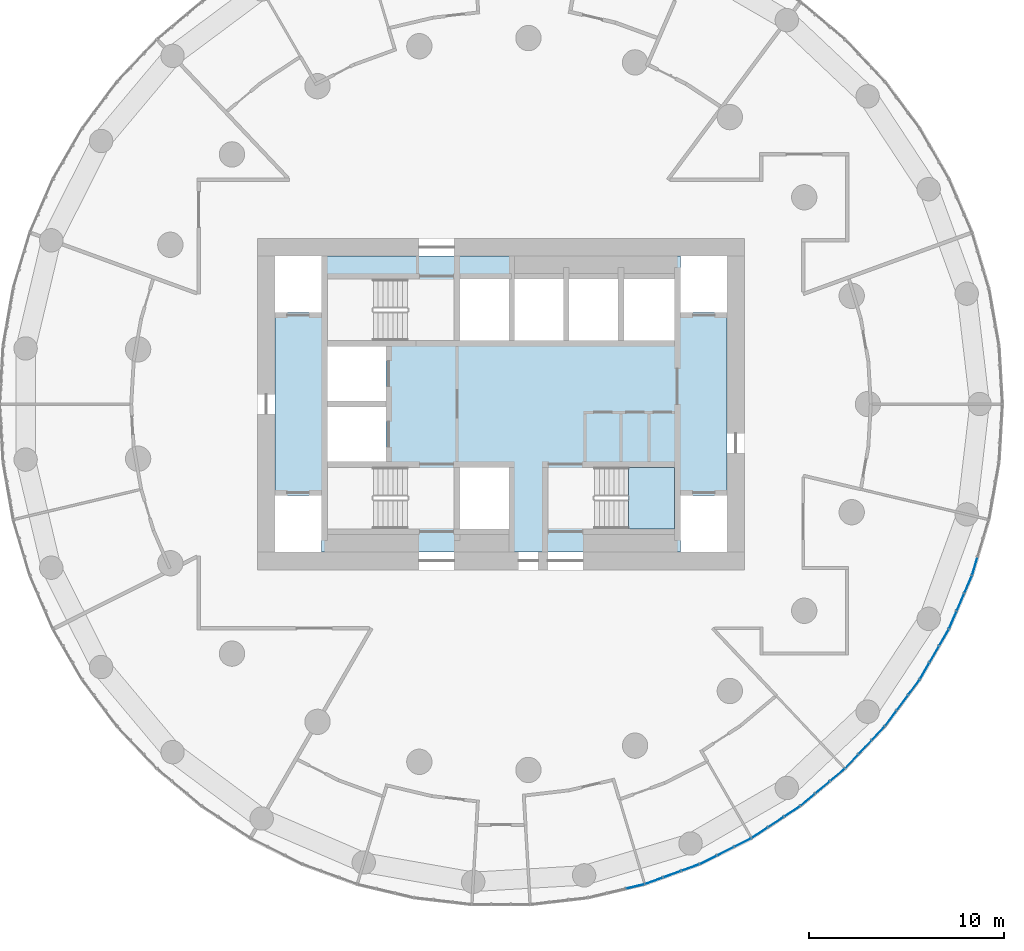
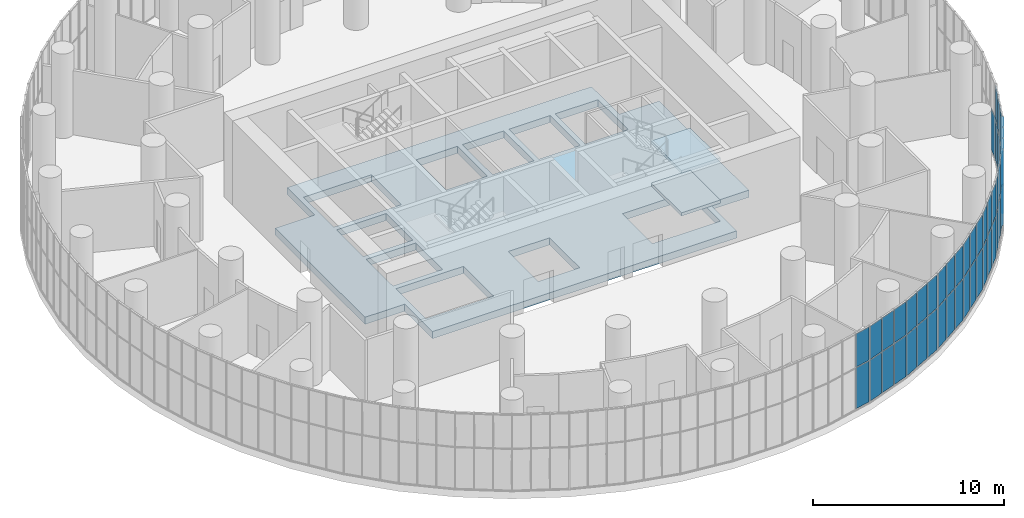
# One storey, part 12 of 21: 51 plates, 3 slabs, 11 elements without a shape of their own.
"""IFC4 building model written with IfcOpenShell, lengths in metres."""

from ifc_helpers import new_model, si_unit, direction, frame, origin, origin_2d, place, context, subcontext, project, spatial, polyline, rectangle, outline, extrude, material, layer, layer_set, type_object, element, aggregate, save


model = new_model("IFC4")

# Units and contexts
model_context = context("Model", 3, precision=1e-05, world=origin(), true_north=direction((0.0, 1.0)))
body_context = subcontext(model_context, "Body", "Model", "MODEL_VIEW")
ifc_project = project(units=[si_unit("LENGTHUNIT", "METRE"), si_unit("AREAUNIT", "SQUARE_METRE"), si_unit("VOLUMEUNIT", "CUBIC_METRE"), si_unit("PLANEANGLEUNIT", "RADIAN"), si_unit("MASSUNIT", "GRAM", prefix="KILO")], contexts=[model_context])

# Site, building, storey
site_placement = place(None, origin())
site = spatial("IfcSite", under=ifc_project, at=site_placement, CompositionType="ELEMENT")
building_placement = place(site_placement, origin())
building = spatial("IfcBuilding", under=site, at=building_placement, Name="Tracery Tower", CompositionType="ELEMENT")
storey_placement = place(building_placement, frame((0.0, 0.0, 219.60009765625)))
storey = spatial("IfcBuildingStorey", under=building, at=storey_placement, Name="L57", CompositionType="ELEMENT", Elevation=219.60009765625)

# Slab
ifc_material_1 = material(Name="Concrete C50/60", Category="concrete")
ifc_layer_1 = layer(ifc_material_1, 0.449951171875)
ifc_layer_set_1 = layer_set([ifc_layer_1], Name="Core floor slab 450 C50")
slab_type_1 = type_object("IfcSlabType", Name="Core floor slab 450 C50", PredefinedType="FLOOR", material=ifc_layer_set_1)
slab_1_placement = place(storey_placement, frame((0.0, 0.0, -0.4501953125)))
element("IfcSlab", 1, at=slab_1_placement, inside=storey, type_object=slab_type_1, Name="L57 core floor 1", PredefinedType="FLOOR", context=body_context, shape_type="SweptSolid", body=[
    extrude(outline(polyline([(-9.199951171875, 7.60009765625), (9.199951171875, 7.60009765625), (9.199951171875, 4.699951171875), (11.60009765625, 4.699951171875), (11.60009765625, -4.699951171875), (9.199951171875, -4.699951171875), (9.199951171875, -7.60009765625), (-9.199951171875, -7.60009765625), (-9.199951171875, -4.699951171875), (-11.60009765625, -4.699951171875), (-11.60009765625, 4.699951171875), (-9.199951171875, 4.699951171875), (-9.199951171875, 7.60009765625)]), holes=[polyline([(4.800537109375, -6.39990234375), (8.89990234375, -6.39990234375), (8.89990234375, -3.25), (4.800537109375, -3.25), (4.800537109375, -6.39990234375)]), polyline([(8.89990234375, 3.25), (8.89990234375, 6.39990234375), (6.300048828125, 6.39990234375), (6.300048828125, 3.25), (8.89990234375, 3.25)]), polyline([(6.0, 3.25), (6.0, 6.39990234375), (3.5, 6.39990234375), (3.5, 3.25), (6.0, 3.25)]), polyline([(3.199951171875, 3.25), (3.199951171875, 6.39990234375), (0.699951171875, 6.39990234375), (0.699951171875, 3.25), (3.199951171875, 3.25)]), polyline([(-2.10009765625, 3.25), (0.39990234375, 3.25), (0.39990234375, 6.39990234375), (-2.10009765625, 6.39990234375), (-2.10009765625, 3.25)]), polyline([(0.39990234375, -6.39990234375), (0.39990234375, -3.25), (-2.10009765625, -3.25), (-2.10009765625, -6.39990234375), (0.39990234375, -6.39990234375)]), polyline([(-4.800537109375, -3.25), (-8.89990234375, -3.25), (-8.89990234375, -6.39990234375), (-4.800537109375, -6.39990234375), (-4.800537109375, -3.25)]), polyline([(-4.800537109375, 6.39990234375), (-8.89990234375, 6.39990234375), (-8.89990234375, 3.25), (-4.800537109375, 3.25), (-4.800537109375, 6.39990234375)]), polyline([(-5.89990234375, -2.949951171875), (-5.89990234375, -0.14990234375), (-8.89990234375, -0.14990234375), (-8.89990234375, -2.949951171875), (-5.89990234375, -2.949951171875)]), polyline([(-5.89990234375, 0.14990234375), (-5.89990234375, 2.949951171875), (-8.89990234375, 2.949951171875), (-8.89990234375, 0.14990234375), (-5.89990234375, 0.14990234375)])]), origin(), (0.0, 0.0, 1.0), 0.4501953125),
])

# Curtain wall, plates
ifc_material_2 = material(Name="Aluminium curtain wall with tinted glass", Category="aluminium")
ifc_layer_2 = layer(ifc_material_2, 0.159912109375)
ifc_layer_set_2 = layer_set([ifc_layer_2], Name="Sky lounge 2 tracery curtain wall")
curtain_wall_type = type_object("IfcCurtainWallType", Name="Sky lounge 2 tracery curtain wall", PredefinedType="NOTDEFINED", material=ifc_layer_set_2)
curtain_wall_1_placement = place(storey_placement, origin())
curtain_wall_1 = element("IfcCurtainWall", 2, at=curtain_wall_1_placement, inside=storey, type_object=curtain_wall_type, Name="Sky lounge 2 curtain wall run 43", PredefinedType="NOTDEFINED")
ifc_material_3 = material(Name="Tinted laminated glass", Category="glass")
ifc_layer_3 = layer(ifc_material_3, 0.028076171875)
ifc_layer_set_3 = layer_set([ifc_layer_3], Name="Sky lounge 2 glass panel 28")
plate_type = type_object("IfcPlateType", Name="Sky lounge 2 glass panel 28", PredefinedType="CURTAIN_PANEL", material=ifc_layer_set_3)
plate_1_placement = place(storey_placement, frame((6.88818359375, -24.742431640625, 0.06005859375), z_axis=(0.0, 0.0, 1.0), x_axis=(0.973044870581, 0.230615870737, 0.0)))
plate_1 = element("IfcPlate", 3, at=plate_1_placement, type_object=plate_type, Name="Sky lounge 2 curtain wall run 43 glass panel 5", PredefinedType="CURTAIN_PANEL", context=body_context, shape_type="SweptSolid", body=[
    extrude(rectangle(XDim=0.9365234375, YDim=0.028076171875, at=origin_2d()), origin(), (0.0, 0.0, 1.0), 2.610107421875),
])
plate_2_placement = place(storey_placement, frame((6.88818359375, -24.742431640625, 2.72998046875), z_axis=(0.0, 0.0, 1.0), x_axis=(0.973044870581, 0.230615870737, 0.0)))
plate_2 = element("IfcPlate", 4, at=plate_2_placement, type_object=plate_type, Name="Sky lounge 2 curtain wall run 43 glass panel 6", PredefinedType="CURTAIN_PANEL", context=body_context, shape_type="SweptSolid", body=[
    extrude(rectangle(XDim=0.9365234375, YDim=0.028076171875, at=origin_2d()), origin(), (0.0, 0.0, 1.0), 2.110107421875),
])
aggregate(curtain_wall_1, [plate_1, plate_2])

curtain_wall_2_placement = place(storey_placement, origin())
curtain_wall_2 = element("IfcCurtainWall", 5, at=curtain_wall_2_placement, inside=storey, type_object=curtain_wall_type, Name="Sky lounge 2 curtain wall run 44", PredefinedType="NOTDEFINED")
plate_3_placement = place(storey_placement, frame((7.84130859375, -24.45703125, 0.06005859375), z_axis=(0.0, 0.0, 1.0), x_axis=(0.939692620786, 0.342020143326, 0.0)))
plate_3 = element("IfcPlate", 6, at=plate_3_placement, type_object=plate_type, Name="Sky lounge 2 curtain wall run 44 glass panel 1", PredefinedType="CURTAIN_PANEL", context=body_context, shape_type="SweptSolid", body=[
    extrude(rectangle(XDim=0.9365234375, YDim=0.028076171875, at=origin_2d()), origin(), (0.0, 0.0, 1.0), 2.610107421875),
])
plate_4_placement = place(storey_placement, frame((7.84130859375, -24.45703125, 2.72998046875), z_axis=(0.0, 0.0, 1.0), x_axis=(0.939692620786, 0.342020143326, 0.0)))
plate_4 = element("IfcPlate", 7, at=plate_4_placement, type_object=plate_type, Name="Sky lounge 2 curtain wall run 44 glass panel 2", PredefinedType="CURTAIN_PANEL", context=body_context, shape_type="SweptSolid", body=[
    extrude(rectangle(XDim=0.9365234375, YDim=0.028076171875, at=origin_2d()), origin(), (0.0, 0.0, 1.0), 2.110107421875),
])
plate_5_placement = place(storey_placement, frame((8.777587890625, -24.1162109375, 0.06005859375), z_axis=(0.0, 0.0, 1.0), x_axis=(0.939692620786, 0.342020143326, 0.0)))
plate_5 = element("IfcPlate", 8, at=plate_5_placement, type_object=plate_type, Name="Sky lounge 2 curtain wall run 44 glass panel 3", PredefinedType="CURTAIN_PANEL", context=body_context, shape_type="SweptSolid", body=[
    extrude(rectangle(XDim=0.9365234375, YDim=0.028076171875, at=origin_2d()), origin(), (0.0, 0.0, 1.0), 2.610107421875),
])
plate_6_placement = place(storey_placement, frame((8.777587890625, -24.1162109375, 2.72998046875), z_axis=(0.0, 0.0, 1.0), x_axis=(0.939692620786, 0.342020143326, 0.0)))
plate_6 = element("IfcPlate", 9, at=plate_6_placement, type_object=plate_type, Name="Sky lounge 2 curtain wall run 44 glass panel 4", PredefinedType="CURTAIN_PANEL", context=body_context, shape_type="SweptSolid", body=[
    extrude(rectangle(XDim=0.9365234375, YDim=0.028076171875, at=origin_2d()), origin(), (0.0, 0.0, 1.0), 2.110107421875),
])
plate_7_placement = place(storey_placement, frame((9.714111328125, -23.775390625, 0.06005859375), z_axis=(0.0, 0.0, 1.0), x_axis=(0.939692620786, 0.342020143326, 0.0)))
plate_7 = element("IfcPlate", 10, at=plate_7_placement, type_object=plate_type, Name="Sky lounge 2 curtain wall run 44 glass panel 5", PredefinedType="CURTAIN_PANEL", context=body_context, shape_type="SweptSolid", body=[
    extrude(rectangle(XDim=0.9365234375, YDim=0.028076171875, at=origin_2d()), origin(), (0.0, 0.0, 1.0), 2.610107421875),
])
plate_8_placement = place(storey_placement, frame((9.714111328125, -23.775390625, 2.72998046875), z_axis=(0.0, 0.0, 1.0), x_axis=(0.939692620786, 0.342020143326, 0.0)))
plate_8 = element("IfcPlate", 11, at=plate_8_placement, type_object=plate_type, Name="Sky lounge 2 curtain wall run 44 glass panel 6", PredefinedType="CURTAIN_PANEL", context=body_context, shape_type="SweptSolid", body=[
    extrude(rectangle(XDim=0.9365234375, YDim=0.028076171875, at=origin_2d()), origin(), (0.0, 0.0, 1.0), 2.110107421875),
])
aggregate(curtain_wall_2, [plate_3, plate_4, plate_5, plate_6, plate_7, plate_8])

curtain_wall_3_placement = place(storey_placement, origin())
curtain_wall_3 = element("IfcCurtainWall", 12, at=curtain_wall_3_placement, inside=storey, type_object=curtain_wall_type, Name="Sky lounge 2 curtain wall run 45", PredefinedType="NOTDEFINED")
plate_9_placement = place(storey_placement, frame((10.62744140625, -23.38134765625, 0.06005859375), z_axis=(0.0, 0.0, 1.0), x_axis=(0.893632640321, 0.448799180206, 0.0)))
plate_9 = element("IfcPlate", 13, at=plate_9_placement, type_object=plate_type, Name="Sky lounge 2 curtain wall run 45 glass panel 1", PredefinedType="CURTAIN_PANEL", context=body_context, shape_type="SweptSolid", body=[
    extrude(rectangle(XDim=0.9365234375, YDim=0.028076171875, at=origin_2d()), origin(), (0.0, 0.0, 1.0), 2.610107421875),
])
plate_10_placement = place(storey_placement, frame((10.62744140625, -23.38134765625, 2.72998046875), z_axis=(0.0, 0.0, 1.0), x_axis=(0.893632640321, 0.448799180206, 0.0)))
plate_10 = element("IfcPlate", 14, at=plate_10_placement, type_object=plate_type, Name="Sky lounge 2 curtain wall run 45 glass panel 2", PredefinedType="CURTAIN_PANEL", context=body_context, shape_type="SweptSolid", body=[
    extrude(rectangle(XDim=0.9365234375, YDim=0.028076171875, at=origin_2d()), origin(), (0.0, 0.0, 1.0), 2.110107421875),
])
plate_11_placement = place(storey_placement, frame((11.51806640625, -22.934326171875, 0.06005859375), z_axis=(0.0, 0.0, 1.0), x_axis=(0.893632640321, 0.448799180206, 0.0)))
plate_11 = element("IfcPlate", 15, at=plate_11_placement, type_object=plate_type, Name="Sky lounge 2 curtain wall run 45 glass panel 3", PredefinedType="CURTAIN_PANEL", context=body_context, shape_type="SweptSolid", body=[
    extrude(rectangle(XDim=0.9365234375, YDim=0.028076171875, at=origin_2d()), origin(), (0.0, 0.0, 1.0), 2.610107421875),
])
plate_12_placement = place(storey_placement, frame((11.51806640625, -22.934326171875, 2.72998046875), z_axis=(0.0, 0.0, 1.0), x_axis=(0.893632640321, 0.448799180206, 0.0)))
plate_12 = element("IfcPlate", 16, at=plate_12_placement, type_object=plate_type, Name="Sky lounge 2 curtain wall run 45 glass panel 4", PredefinedType="CURTAIN_PANEL", context=body_context, shape_type="SweptSolid", body=[
    extrude(rectangle(XDim=0.9365234375, YDim=0.028076171875, at=origin_2d()), origin(), (0.0, 0.0, 1.0), 2.110107421875),
])
plate_13_placement = place(storey_placement, frame((12.408447265625, -22.487060546875, 0.06005859375), z_axis=(0.0, 0.0, 1.0), x_axis=(0.893632640321, 0.448799180206, 0.0)))
plate_13 = element("IfcPlate", 17, at=plate_13_placement, type_object=plate_type, Name="Sky lounge 2 curtain wall run 45 glass panel 5", PredefinedType="CURTAIN_PANEL", context=body_context, shape_type="SweptSolid", body=[
    extrude(rectangle(XDim=0.9365234375, YDim=0.028076171875, at=origin_2d()), origin(), (0.0, 0.0, 1.0), 2.610107421875),
])
plate_14_placement = place(storey_placement, frame((12.408447265625, -22.487060546875, 2.72998046875), z_axis=(0.0, 0.0, 1.0), x_axis=(0.893632640321, 0.448799180206, 0.0)))
plate_14 = element("IfcPlate", 18, at=plate_14_placement, type_object=plate_type, Name="Sky lounge 2 curtain wall run 45 glass panel 6", PredefinedType="CURTAIN_PANEL", context=body_context, shape_type="SweptSolid", body=[
    extrude(rectangle(XDim=0.9365234375, YDim=0.028076171875, at=origin_2d()), origin(), (0.0, 0.0, 1.0), 2.110107421875),
])
aggregate(curtain_wall_3, [plate_9, plate_10, plate_11, plate_12, plate_13, plate_14])

curtain_wall_4_placement = place(storey_placement, origin())
curtain_wall_4 = element("IfcCurtainWall", 19, at=curtain_wall_4_placement, inside=storey, type_object=curtain_wall_type, Name="Sky lounge 2 curtain wall run 46", PredefinedType="NOTDEFINED")
plate_15_placement = place(storey_placement, frame((13.27001953125, -21.989501953125, 0.06005859375), z_axis=(0.0, 0.0, 1.0), x_axis=(0.835487811416, 0.549508978066, 0.0)))
plate_15 = element("IfcPlate", 20, at=plate_15_placement, type_object=plate_type, Name="Sky lounge 2 curtain wall run 46 glass panel 1", PredefinedType="CURTAIN_PANEL", context=body_context, shape_type="SweptSolid", body=[
    extrude(rectangle(XDim=0.9365234375, YDim=0.028076171875, at=origin_2d()), origin(), (0.0, 0.0, 1.0), 2.610107421875),
])
plate_16_placement = place(storey_placement, frame((13.27001953125, -21.989501953125, 2.72998046875), z_axis=(0.0, 0.0, 1.0), x_axis=(0.835487811416, 0.549508978066, 0.0)))
plate_16 = element("IfcPlate", 21, at=plate_16_placement, type_object=plate_type, Name="Sky lounge 2 curtain wall run 46 glass panel 2", PredefinedType="CURTAIN_PANEL", context=body_context, shape_type="SweptSolid", body=[
    extrude(rectangle(XDim=0.9365234375, YDim=0.028076171875, at=origin_2d()), origin(), (0.0, 0.0, 1.0), 2.110107421875),
])
plate_17_placement = place(storey_placement, frame((14.1025390625, -21.44189453125, 0.06005859375), z_axis=(0.0, 0.0, 1.0), x_axis=(0.835487811416, 0.549508978066, 0.0)))
plate_17 = element("IfcPlate", 22, at=plate_17_placement, type_object=plate_type, Name="Sky lounge 2 curtain wall run 46 glass panel 3", PredefinedType="CURTAIN_PANEL", context=body_context, shape_type="SweptSolid", body=[
    extrude(rectangle(XDim=0.9365234375, YDim=0.028076171875, at=origin_2d()), origin(), (0.0, 0.0, 1.0), 2.610107421875),
])
plate_18_placement = place(storey_placement, frame((14.1025390625, -21.44189453125, 2.72998046875), z_axis=(0.0, 0.0, 1.0), x_axis=(0.835487811416, 0.549508978066, 0.0)))
plate_18 = element("IfcPlate", 23, at=plate_18_placement, type_object=plate_type, Name="Sky lounge 2 curtain wall run 46 glass panel 4", PredefinedType="CURTAIN_PANEL", context=body_context, shape_type="SweptSolid", body=[
    extrude(rectangle(XDim=0.9365234375, YDim=0.028076171875, at=origin_2d()), origin(), (0.0, 0.0, 1.0), 2.110107421875),
])
plate_19_placement = place(storey_placement, frame((14.935302734375, -20.89453125, 0.06005859375), z_axis=(0.0, 0.0, 1.0), x_axis=(0.835487811416, 0.549508978066, 0.0)))
plate_19 = element("IfcPlate", 24, at=plate_19_placement, type_object=plate_type, Name="Sky lounge 2 curtain wall run 46 glass panel 5", PredefinedType="CURTAIN_PANEL", context=body_context, shape_type="SweptSolid", body=[
    extrude(rectangle(XDim=0.9365234375, YDim=0.028076171875, at=origin_2d()), origin(), (0.0, 0.0, 1.0), 2.610107421875),
])
plate_20_placement = place(storey_placement, frame((14.935302734375, -20.89453125, 2.72998046875), z_axis=(0.0, 0.0, 1.0), x_axis=(0.835487811416, 0.549508978066, 0.0)))
plate_20 = element("IfcPlate", 25, at=plate_20_placement, type_object=plate_type, Name="Sky lounge 2 curtain wall run 46 glass panel 6", PredefinedType="CURTAIN_PANEL", context=body_context, shape_type="SweptSolid", body=[
    extrude(rectangle(XDim=0.9365234375, YDim=0.028076171875, at=origin_2d()), origin(), (0.0, 0.0, 1.0), 2.110107421875),
])
aggregate(curtain_wall_4, [plate_15, plate_16, plate_17, plate_18, plate_19, plate_20])

curtain_wall_5_placement = place(storey_placement, origin())
curtain_wall_5 = element("IfcCurtainWall", 26, at=curtain_wall_5_placement, inside=storey, type_object=curtain_wall_type, Name="Sky lounge 2 curtain wall run 47", PredefinedType="NOTDEFINED")
plate_21_placement = place(storey_placement, frame((15.733154296875, -20.30029296875, 0.06005859375), z_axis=(0.0, 0.0, 1.0), x_axis=(0.766044443119, 0.642787609687, 0.0)))
plate_21 = element("IfcPlate", 27, at=plate_21_placement, type_object=plate_type, Name="Sky lounge 2 curtain wall run 47 glass panel 1", PredefinedType="CURTAIN_PANEL", context=body_context, shape_type="SweptSolid", body=[
    extrude(rectangle(XDim=0.9365234375, YDim=0.028076171875, at=origin_2d()), origin(), (0.0, 0.0, 1.0), 2.610107421875),
])
plate_22_placement = place(storey_placement, frame((15.733154296875, -20.30029296875, 2.72998046875), z_axis=(0.0, 0.0, 1.0), x_axis=(0.766044443119, 0.642787609687, 0.0)))
plate_22 = element("IfcPlate", 28, at=plate_22_placement, type_object=plate_type, Name="Sky lounge 2 curtain wall run 47 glass panel 2", PredefinedType="CURTAIN_PANEL", context=body_context, shape_type="SweptSolid", body=[
    extrude(rectangle(XDim=0.9365234375, YDim=0.028076171875, at=origin_2d()), origin(), (0.0, 0.0, 1.0), 2.110107421875),
])
plate_23_placement = place(storey_placement, frame((16.49658203125, -19.659912109375, 0.06005859375), z_axis=(0.0, 0.0, 1.0), x_axis=(0.766044443119, 0.642787609687, 0.0)))
plate_23 = element("IfcPlate", 29, at=plate_23_placement, type_object=plate_type, Name="Sky lounge 2 curtain wall run 47 glass panel 3", PredefinedType="CURTAIN_PANEL", context=body_context, shape_type="SweptSolid", body=[
    extrude(rectangle(XDim=0.9365234375, YDim=0.028076171875, at=origin_2d()), origin(), (0.0, 0.0, 1.0), 2.610107421875),
])
plate_24_placement = place(storey_placement, frame((16.49658203125, -19.659912109375, 2.72998046875), z_axis=(0.0, 0.0, 1.0), x_axis=(0.766044443119, 0.642787609687, 0.0)))
plate_24 = element("IfcPlate", 30, at=plate_24_placement, type_object=plate_type, Name="Sky lounge 2 curtain wall run 47 glass panel 4", PredefinedType="CURTAIN_PANEL", context=body_context, shape_type="SweptSolid", body=[
    extrude(rectangle(XDim=0.9365234375, YDim=0.028076171875, at=origin_2d()), origin(), (0.0, 0.0, 1.0), 2.110107421875),
])
plate_25_placement = place(storey_placement, frame((17.260009765625, -19.019287109375, 0.06005859375), z_axis=(0.0, 0.0, 1.0), x_axis=(0.766044443119, 0.642787609687, 0.0)))
plate_25 = element("IfcPlate", 31, at=plate_25_placement, type_object=plate_type, Name="Sky lounge 2 curtain wall run 47 glass panel 5", PredefinedType="CURTAIN_PANEL", context=body_context, shape_type="SweptSolid", body=[
    extrude(rectangle(XDim=0.9365234375, YDim=0.028076171875, at=origin_2d()), origin(), (0.0, 0.0, 1.0), 2.610107421875),
])
plate_26_placement = place(storey_placement, frame((17.260009765625, -19.019287109375, 2.72998046875), z_axis=(0.0, 0.0, 1.0), x_axis=(0.766044443119, 0.642787609687, 0.0)))
plate_26 = element("IfcPlate", 32, at=plate_26_placement, type_object=plate_type, Name="Sky lounge 2 curtain wall run 47 glass panel 6", PredefinedType="CURTAIN_PANEL", context=body_context, shape_type="SweptSolid", body=[
    extrude(rectangle(XDim=0.9365234375, YDim=0.028076171875, at=origin_2d()), origin(), (0.0, 0.0, 1.0), 2.110107421875),
])
aggregate(curtain_wall_5, [plate_21, plate_22, plate_23, plate_24, plate_25, plate_26])

curtain_wall_6_placement = place(storey_placement, origin())
curtain_wall_6 = element("IfcCurtainWall", 33, at=curtain_wall_6_placement, inside=storey, type_object=curtain_wall_type, Name="Sky lounge 2 curtain wall run 48", PredefinedType="NOTDEFINED")
plate_27_placement = place(storey_placement, frame((17.9833984375, -18.336669921875, 0.06005859375), z_axis=(0.0, 0.0, 1.0), x_axis=(0.686241637865, 0.727373641577, 0.0)))
plate_27 = element("IfcPlate", 34, at=plate_27_placement, type_object=plate_type, Name="Sky lounge 2 curtain wall run 48 glass panel 1", PredefinedType="CURTAIN_PANEL", context=body_context, shape_type="SweptSolid", body=[
    extrude(rectangle(XDim=0.9365234375, YDim=0.028076171875, at=origin_2d()), origin(), (0.0, 0.0, 1.0), 2.610107421875),
])
plate_28_placement = place(storey_placement, frame((17.9833984375, -18.336669921875, 2.72998046875), z_axis=(0.0, 0.0, 1.0), x_axis=(0.686241637865, 0.727373641577, 0.0)))
plate_28 = element("IfcPlate", 35, at=plate_28_placement, type_object=plate_type, Name="Sky lounge 2 curtain wall run 48 glass panel 2", PredefinedType="CURTAIN_PANEL", context=body_context, shape_type="SweptSolid", body=[
    extrude(rectangle(XDim=0.9365234375, YDim=0.028076171875, at=origin_2d()), origin(), (0.0, 0.0, 1.0), 2.110107421875),
])
plate_29_placement = place(storey_placement, frame((18.667236328125, -17.61181640625, 0.06005859375), z_axis=(0.0, 0.0, 1.0), x_axis=(0.686241637865, 0.727373641577, 0.0)))
plate_29 = element("IfcPlate", 36, at=plate_29_placement, type_object=plate_type, Name="Sky lounge 2 curtain wall run 48 glass panel 3", PredefinedType="CURTAIN_PANEL", context=body_context, shape_type="SweptSolid", body=[
    extrude(rectangle(XDim=0.9365234375, YDim=0.028076171875, at=origin_2d()), origin(), (0.0, 0.0, 1.0), 2.610107421875),
])
plate_30_placement = place(storey_placement, frame((18.667236328125, -17.61181640625, 2.72998046875), z_axis=(0.0, 0.0, 1.0), x_axis=(0.686241637865, 0.727373641577, 0.0)))
plate_30 = element("IfcPlate", 37, at=plate_30_placement, type_object=plate_type, Name="Sky lounge 2 curtain wall run 48 glass panel 4", PredefinedType="CURTAIN_PANEL", context=body_context, shape_type="SweptSolid", body=[
    extrude(rectangle(XDim=0.9365234375, YDim=0.028076171875, at=origin_2d()), origin(), (0.0, 0.0, 1.0), 2.110107421875),
])
plate_31_placement = place(storey_placement, frame((19.351318359375, -16.886962890625, 0.06005859375), z_axis=(0.0, 0.0, 1.0), x_axis=(0.686241637865, 0.727373641577, 0.0)))
plate_31 = element("IfcPlate", 38, at=plate_31_placement, type_object=plate_type, Name="Sky lounge 2 curtain wall run 48 glass panel 5", PredefinedType="CURTAIN_PANEL", context=body_context, shape_type="SweptSolid", body=[
    extrude(rectangle(XDim=0.9365234375, YDim=0.028076171875, at=origin_2d()), origin(), (0.0, 0.0, 1.0), 2.610107421875),
])
plate_32_placement = place(storey_placement, frame((19.351318359375, -16.886962890625, 2.72998046875), z_axis=(0.0, 0.0, 1.0), x_axis=(0.686241637865, 0.727373641577, 0.0)))
plate_32 = element("IfcPlate", 39, at=plate_32_placement, type_object=plate_type, Name="Sky lounge 2 curtain wall run 48 glass panel 6", PredefinedType="CURTAIN_PANEL", context=body_context, shape_type="SweptSolid", body=[
    extrude(rectangle(XDim=0.9365234375, YDim=0.028076171875, at=origin_2d()), origin(), (0.0, 0.0, 1.0), 2.110107421875),
])
aggregate(curtain_wall_6, [plate_27, plate_28, plate_29, plate_30, plate_31, plate_32])

curtain_wall_7_placement = place(storey_placement, origin())
curtain_wall_7 = element("IfcCurtainWall", 40, at=curtain_wall_7_placement, inside=storey, type_object=curtain_wall_type, Name="Sky lounge 2 curtain wall run 49", PredefinedType="NOTDEFINED")
plate_33_placement = place(storey_placement, frame((19.99072265625, -16.124755859375, 0.06005859375), z_axis=(0.0, 0.0, 1.0), x_axis=(0.597158591707, 0.802123192752, 0.0)))
plate_33 = element("IfcPlate", 41, at=plate_33_placement, type_object=plate_type, Name="Sky lounge 2 curtain wall run 49 glass panel 1", PredefinedType="CURTAIN_PANEL", context=body_context, shape_type="SweptSolid", body=[
    extrude(rectangle(XDim=0.9365234375, YDim=0.028076171875, at=origin_2d()), origin(), (0.0, 0.0, 1.0), 2.610107421875),
])
plate_34_placement = place(storey_placement, frame((19.99072265625, -16.124755859375, 2.72998046875), z_axis=(0.0, 0.0, 1.0), x_axis=(0.597158591707, 0.802123192752, 0.0)))
plate_34 = element("IfcPlate", 42, at=plate_34_placement, type_object=plate_type, Name="Sky lounge 2 curtain wall run 49 glass panel 2", PredefinedType="CURTAIN_PANEL", context=body_context, shape_type="SweptSolid", body=[
    extrude(rectangle(XDim=0.9365234375, YDim=0.028076171875, at=origin_2d()), origin(), (0.0, 0.0, 1.0), 2.110107421875),
])
plate_35_placement = place(storey_placement, frame((20.585693359375, -15.325439453125, 0.06005859375), z_axis=(0.0, 0.0, 1.0), x_axis=(0.597158591707, 0.802123192752, 0.0)))
plate_35 = element("IfcPlate", 43, at=plate_35_placement, type_object=plate_type, Name="Sky lounge 2 curtain wall run 49 glass panel 3", PredefinedType="CURTAIN_PANEL", context=body_context, shape_type="SweptSolid", body=[
    extrude(rectangle(XDim=0.9365234375, YDim=0.028076171875, at=origin_2d()), origin(), (0.0, 0.0, 1.0), 2.610107421875),
])
plate_36_placement = place(storey_placement, frame((20.585693359375, -15.325439453125, 2.72998046875), z_axis=(0.0, 0.0, 1.0), x_axis=(0.597158591707, 0.802123192752, 0.0)))
plate_36 = element("IfcPlate", 44, at=plate_36_placement, type_object=plate_type, Name="Sky lounge 2 curtain wall run 49 glass panel 4", PredefinedType="CURTAIN_PANEL", context=body_context, shape_type="SweptSolid", body=[
    extrude(rectangle(XDim=0.9365234375, YDim=0.028076171875, at=origin_2d()), origin(), (0.0, 0.0, 1.0), 2.110107421875),
])
plate_37_placement = place(storey_placement, frame((21.180908203125, -14.526123046875, 0.06005859375), z_axis=(0.0, 0.0, 1.0), x_axis=(0.597158591707, 0.802123192752, 0.0)))
plate_37 = element("IfcPlate", 45, at=plate_37_placement, type_object=plate_type, Name="Sky lounge 2 curtain wall run 49 glass panel 5", PredefinedType="CURTAIN_PANEL", context=body_context, shape_type="SweptSolid", body=[
    extrude(rectangle(XDim=0.9365234375, YDim=0.028076171875, at=origin_2d()), origin(), (0.0, 0.0, 1.0), 2.610107421875),
])
plate_38_placement = place(storey_placement, frame((21.180908203125, -14.526123046875, 2.72998046875), z_axis=(0.0, 0.0, 1.0), x_axis=(0.597158591707, 0.802123192752, 0.0)))
plate_38 = element("IfcPlate", 46, at=plate_38_placement, type_object=plate_type, Name="Sky lounge 2 curtain wall run 49 glass panel 6", PredefinedType="CURTAIN_PANEL", context=body_context, shape_type="SweptSolid", body=[
    extrude(rectangle(XDim=0.9365234375, YDim=0.028076171875, at=origin_2d()), origin(), (0.0, 0.0, 1.0), 2.110107421875),
])
aggregate(curtain_wall_7, [plate_33, plate_34, plate_35, plate_36, plate_37, plate_38])

curtain_wall_8_placement = place(storey_placement, origin())
curtain_wall_8 = element("IfcCurtainWall", 47, at=curtain_wall_8_placement, inside=storey, type_object=curtain_wall_type, Name="Sky lounge 2 curtain wall run 50", PredefinedType="NOTDEFINED")
plate_39_placement = place(storey_placement, frame((21.7275390625, -13.695068359375, 0.06005859375), z_axis=(0.0, 0.0, 1.0), x_axis=(0.5, 0.866025403784, 0.0)))
plate_39 = element("IfcPlate", 48, at=plate_39_placement, type_object=plate_type, Name="Sky lounge 2 curtain wall run 50 glass panel 1", PredefinedType="CURTAIN_PANEL", context=body_context, shape_type="SweptSolid", body=[
    extrude(rectangle(XDim=0.9365234375, YDim=0.028076171875, at=origin_2d()), origin(), (0.0, 0.0, 1.0), 2.610107421875),
])
plate_40_placement = place(storey_placement, frame((21.7275390625, -13.695068359375, 2.72998046875), z_axis=(0.0, 0.0, 1.0), x_axis=(0.5, 0.866025403784, 0.0)))
plate_40 = element("IfcPlate", 49, at=plate_40_placement, type_object=plate_type, Name="Sky lounge 2 curtain wall run 50 glass panel 2", PredefinedType="CURTAIN_PANEL", context=body_context, shape_type="SweptSolid", body=[
    extrude(rectangle(XDim=0.9365234375, YDim=0.028076171875, at=origin_2d()), origin(), (0.0, 0.0, 1.0), 2.110107421875),
])
plate_41_placement = place(storey_placement, frame((22.225830078125, -12.83203125, 0.06005859375), z_axis=(0.0, 0.0, 1.0), x_axis=(0.5, 0.866025403784, 0.0)))
plate_41 = element("IfcPlate", 50, at=plate_41_placement, type_object=plate_type, Name="Sky lounge 2 curtain wall run 50 glass panel 3", PredefinedType="CURTAIN_PANEL", context=body_context, shape_type="SweptSolid", body=[
    extrude(rectangle(XDim=0.9365234375, YDim=0.028076171875, at=origin_2d()), origin(), (0.0, 0.0, 1.0), 2.610107421875),
])
plate_42_placement = place(storey_placement, frame((22.225830078125, -12.83203125, 2.72998046875), z_axis=(0.0, 0.0, 1.0), x_axis=(0.5, 0.866025403784, 0.0)))
plate_42 = element("IfcPlate", 51, at=plate_42_placement, type_object=plate_type, Name="Sky lounge 2 curtain wall run 50 glass panel 4", PredefinedType="CURTAIN_PANEL", context=body_context, shape_type="SweptSolid", body=[
    extrude(rectangle(XDim=0.9365234375, YDim=0.028076171875, at=origin_2d()), origin(), (0.0, 0.0, 1.0), 2.110107421875),
])
plate_43_placement = place(storey_placement, frame((22.723876953125, -11.968994140625, 0.06005859375), z_axis=(0.0, 0.0, 1.0), x_axis=(0.5, 0.866025403784, 0.0)))
plate_43 = element("IfcPlate", 52, at=plate_43_placement, type_object=plate_type, Name="Sky lounge 2 curtain wall run 50 glass panel 5", PredefinedType="CURTAIN_PANEL", context=body_context, shape_type="SweptSolid", body=[
    extrude(rectangle(XDim=0.9365234375, YDim=0.028076171875, at=origin_2d()), origin(), (0.0, 0.0, 1.0), 2.610107421875),
])
plate_44_placement = place(storey_placement, frame((22.723876953125, -11.968994140625, 2.72998046875), z_axis=(0.0, 0.0, 1.0), x_axis=(0.5, 0.866025403784, 0.0)))
plate_44 = element("IfcPlate", 53, at=plate_44_placement, type_object=plate_type, Name="Sky lounge 2 curtain wall run 50 glass panel 6", PredefinedType="CURTAIN_PANEL", context=body_context, shape_type="SweptSolid", body=[
    extrude(rectangle(XDim=0.9365234375, YDim=0.028076171875, at=origin_2d()), origin(), (0.0, 0.0, 1.0), 2.110107421875),
])
aggregate(curtain_wall_8, [plate_39, plate_40, plate_41, plate_42, plate_43, plate_44])

curtain_wall_9_placement = place(storey_placement, origin())
curtain_wall_9 = element("IfcCurtainWall", 54, at=curtain_wall_9_placement, inside=storey, type_object=curtain_wall_type, Name="Sky lounge 2 curtain wall run 51", PredefinedType="NOTDEFINED")
plate_45_placement = place(storey_placement, frame((23.17041015625, -11.080078125, 0.06005859375), z_axis=(0.0, 0.0, 1.0), x_axis=(0.396079766034, 0.918216106883, 0.0)))
plate_45 = element("IfcPlate", 55, at=plate_45_placement, type_object=plate_type, Name="Sky lounge 2 curtain wall run 51 glass panel 1", PredefinedType="CURTAIN_PANEL", context=body_context, shape_type="SweptSolid", body=[
    extrude(rectangle(XDim=0.9365234375, YDim=0.028076171875, at=origin_2d()), origin(), (0.0, 0.0, 1.0), 2.610107421875),
])
plate_46_placement = place(storey_placement, frame((23.17041015625, -11.080078125, 2.72998046875), z_axis=(0.0, 0.0, 1.0), x_axis=(0.396079766034, 0.918216106883, 0.0)))
plate_46 = element("IfcPlate", 56, at=plate_46_placement, type_object=plate_type, Name="Sky lounge 2 curtain wall run 51 glass panel 2", PredefinedType="CURTAIN_PANEL", context=body_context, shape_type="SweptSolid", body=[
    extrude(rectangle(XDim=0.9365234375, YDim=0.028076171875, at=origin_2d()), origin(), (0.0, 0.0, 1.0), 2.110107421875),
])
plate_47_placement = place(storey_placement, frame((23.565185546875, -10.1650390625, 0.06005859375), z_axis=(0.0, 0.0, 1.0), x_axis=(0.396079766034, 0.918216106883, 0.0)))
plate_47 = element("IfcPlate", 57, at=plate_47_placement, type_object=plate_type, Name="Sky lounge 2 curtain wall run 51 glass panel 3", PredefinedType="CURTAIN_PANEL", context=body_context, shape_type="SweptSolid", body=[
    extrude(rectangle(XDim=0.9365234375, YDim=0.028076171875, at=origin_2d()), origin(), (0.0, 0.0, 1.0), 2.610107421875),
])
plate_48_placement = place(storey_placement, frame((23.565185546875, -10.1650390625, 2.72998046875), z_axis=(0.0, 0.0, 1.0), x_axis=(0.396079766034, 0.918216106883, 0.0)))
plate_48 = element("IfcPlate", 58, at=plate_48_placement, type_object=plate_type, Name="Sky lounge 2 curtain wall run 51 glass panel 4", PredefinedType="CURTAIN_PANEL", context=body_context, shape_type="SweptSolid", body=[
    extrude(rectangle(XDim=0.9365234375, YDim=0.028076171875, at=origin_2d()), origin(), (0.0, 0.0, 1.0), 2.110107421875),
])
plate_49_placement = place(storey_placement, frame((23.9599609375, -9.25, 0.06005859375), z_axis=(0.0, 0.0, 1.0), x_axis=(0.396079766034, 0.918216106883, 0.0)))
plate_49 = element("IfcPlate", 59, at=plate_49_placement, type_object=plate_type, Name="Sky lounge 2 curtain wall run 51 glass panel 5", PredefinedType="CURTAIN_PANEL", context=body_context, shape_type="SweptSolid", body=[
    extrude(rectangle(XDim=0.9365234375, YDim=0.028076171875, at=origin_2d()), origin(), (0.0, 0.0, 1.0), 2.610107421875),
])
plate_50_placement = place(storey_placement, frame((23.9599609375, -9.25, 2.72998046875), z_axis=(0.0, 0.0, 1.0), x_axis=(0.396079766034, 0.918216106883, 0.0)))
plate_50 = element("IfcPlate", 60, at=plate_50_placement, type_object=plate_type, Name="Sky lounge 2 curtain wall run 51 glass panel 6", PredefinedType="CURTAIN_PANEL", context=body_context, shape_type="SweptSolid", body=[
    extrude(rectangle(XDim=0.9365234375, YDim=0.028076171875, at=origin_2d()), origin(), (0.0, 0.0, 1.0), 2.110107421875),
])
aggregate(curtain_wall_9, [plate_45, plate_46, plate_47, plate_48, plate_49, plate_50])

# Curtain wall, plate
curtain_wall_10_placement = place(storey_placement, origin())
curtain_wall_10 = element("IfcCurtainWall", 61, at=curtain_wall_10_placement, inside=storey, type_object=curtain_wall_type, Name="Sky lounge 2 curtain wall run 52", PredefinedType="NOTDEFINED")
plate_51_placement = place(storey_placement, frame((24.300048828125, -8.315185546875, 0.06005859375), z_axis=(0.0, 0.0, 1.0), x_axis=(0.286803232717, 0.957989512314, 0.0)))
plate_51 = element("IfcPlate", 62, at=plate_51_placement, type_object=plate_type, Name="Sky lounge 2 curtain wall run 52 glass panel 1", PredefinedType="CURTAIN_PANEL", context=body_context, shape_type="SweptSolid", body=[
    extrude(rectangle(XDim=0.9365234375, YDim=0.028076171875, at=origin_2d()), origin(), (0.0, 0.0, 1.0), 2.610107421875),
])
aggregate(curtain_wall_10, [plate_51])

# Stair, slabs
ifc_material_4 = material(Name="Concrete C32/40", Category="concrete")
stair_type = type_object("IfcStairType", Name="Core stair 32 risers", PredefinedType="HALF_TURN_STAIR", material=ifc_material_4)
stair_placement = place(storey_placement, origin())
stair = element("IfcStair", 63, at=stair_placement, inside=storey, type_object=stair_type, Name="L57 stair ST2", PredefinedType="HALF_TURN_STAIR")
ifc_material_5 = material(Name="Concrete C32/40", Category="concrete")
ifc_layer_4 = layer(ifc_material_5, 0.199951171875)
ifc_layer_set_4 = layer_set([ifc_layer_4], Name="Stair landing slab 200")
slab_type_2 = type_object("IfcSlabType", Name="Stair landing slab 200", PredefinedType="LANDING", material=ifc_layer_set_4)
slab_2_placement = place(storey_placement, frame((0.0, 0.0, 1.14990234375)))
slab_2 = element("IfcSlab", 64, at=slab_2_placement, type_object=slab_type_2, Name="ST2 landing 1", PredefinedType="LANDING", context=body_context, shape_type="SweptSolid", body=[
    extrude(outline(polyline([(6.54931640625, -6.39990234375), (8.89990234375, -6.39990234375), (8.89990234375, -3.25), (6.54931640625, -3.25), (6.54931640625, -6.39990234375)])), origin(), (0.0, 0.0, 1.0), 0.199951171875),
])
slab_3_placement = place(storey_placement, frame((0.0, 0.0, 3.849853515625)))
slab_3 = element("IfcSlab", 65, at=slab_3_placement, type_object=slab_type_2, Name="ST2 landing 3", PredefinedType="LANDING", context=body_context, shape_type="SweptSolid", body=[
    extrude(outline(polyline([(6.54931640625, -6.39990234375), (8.89990234375, -6.39990234375), (8.89990234375, -3.25), (6.54931640625, -3.25), (6.54931640625, -6.39990234375)])), origin(), (0.0, 0.0, 1.0), 0.199951171875),
])
aggregate(stair, [slab_2, slab_3])

save(model, "model.ifc")
